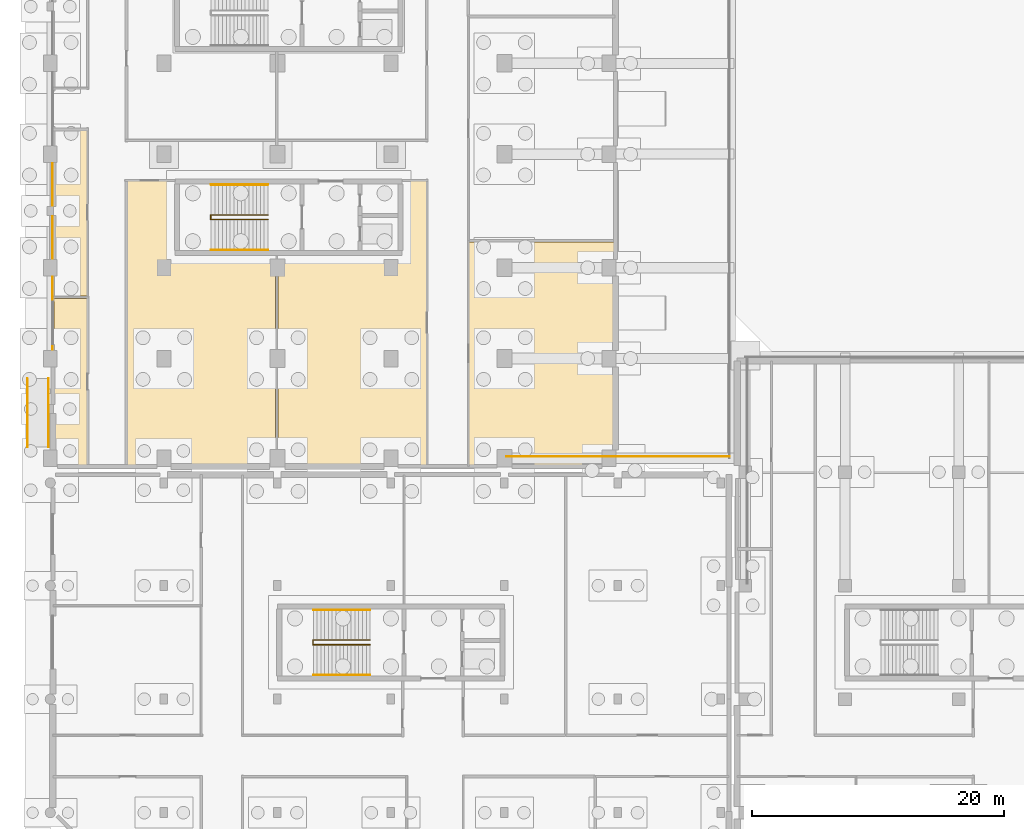
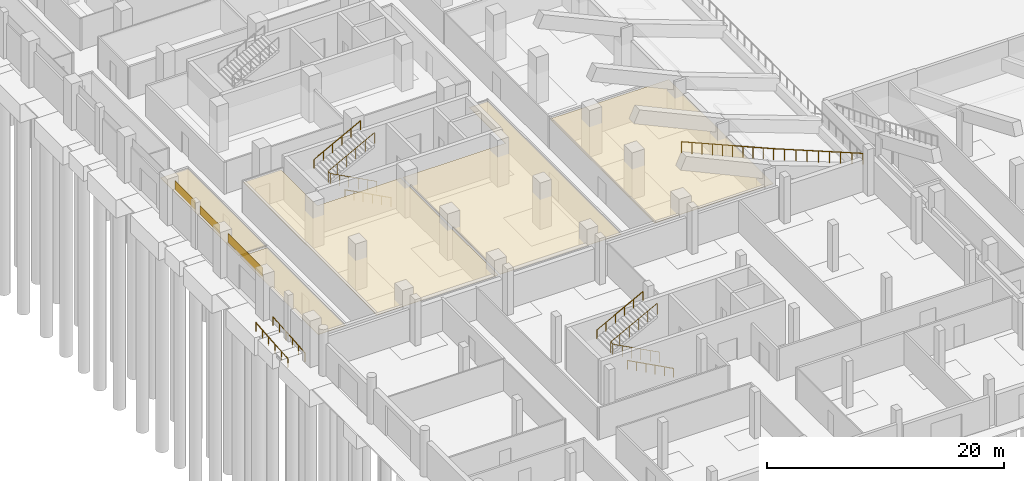
# One storey, part 42 of 53: 9 railings, 8 coverings.
"""IFC4 building model written with IfcOpenShell, lengths in metres."""

from ifc_helpers import new_model, si_unit, direction, frame, origin, origin_2d, place, context, subcontext, project, spatial, polyline, rectangle, circle, outline, extrude, material, layer, layer_set, type_object, element, save


model = new_model("IFC4")

# Units and contexts
model_context = context("Model", 3, precision=1e-05, world=origin(), true_north=direction((0.0, 1.0)))
body_context = subcontext(model_context, "Body", "Model", "MODEL_VIEW")
ifc_project = project(units=[si_unit("LENGTHUNIT", "METRE"), si_unit("AREAUNIT", "SQUARE_METRE"), si_unit("VOLUMEUNIT", "CUBIC_METRE"), si_unit("PLANEANGLEUNIT", "RADIAN"), si_unit("MASSUNIT", "GRAM", prefix="KILO"), si_unit("THERMODYNAMICTEMPERATUREUNIT", "KELVIN"), si_unit("POWERUNIT", "WATT")], contexts=[model_context])

# Site, building, storey
site_placement = place(None, origin())
site = spatial("IfcSite", under=ifc_project, at=site_placement, CompositionType="ELEMENT")
building_placement = place(site_placement, origin())
building = spatial("IfcBuilding", under=site, at=building_placement, Name="Sindhuravela Promenade Stadium", CompositionType="ELEMENT")
storey_placement = place(building_placement, origin())
storey = spatial("IfcBuildingStorey", under=building, at=storey_placement, Name="L00", CompositionType="ELEMENT", Elevation=0.0)

# Coverings
ifc_material_1 = material(Name="Acoustic mineral-fibre ceiling tile", Category="gypsum")
ifc_layer_1 = layer(ifc_material_1, 0.02490234375)
ifc_layer_set_1 = layer_set([ifc_layer_1], Name="Acoustic mineral-fibre ceiling tile")
covering_type_1 = type_object("IfcCoveringType", Name="CV-CEIL-1", PredefinedType="CEILING", material=ifc_layer_set_1)
covering_1_placement = place(storey_placement, frame((0.0, 0.0, 3.050048828125)))
element("IfcCovering", 1, at=covering_1_placement, inside=storey, type_object=covering_type_1, Name="Acoustic ceiling Field-Side Lower Tier Stands West", PredefinedType="CEILING", context=body_context, shape_type="SweptSolid", body=[
    extrude(outline(polyline([(6.02001953125, 59.110107421875), (6.02001953125, 59.112060546875), (6.0205078125, 59.114013671875), (6.02099609375, 59.11572265625), (6.021484375, 59.11767578125), (6.0224609375, 59.119384765625), (6.0234375, 59.12109375), (6.0244140625, 59.122802734375), (6.02587890625, 59.1240234375), (6.02734375, 59.12548828125), (6.02880859375, 59.126708984375), (6.030517578125, 59.127685546875), (6.0322265625, 59.12841796875), (6.0341796875, 59.129150390625), (6.0361328125, 59.129638671875), (6.0380859375, 59.1298828125), (6.0400390625, 59.1298828125), (9.699951171875, 59.1298828125), (9.701904296875, 59.1298828125), (9.703857421875, 59.129638671875), (9.705810546875, 59.129150390625), (9.707763671875, 59.12841796875), (9.70947265625, 59.127685546875), (9.711181640625, 59.126708984375), (9.712646484375, 59.12548828125), (9.714111328125, 59.1240234375), (9.715576171875, 59.122802734375), (9.716552734375, 59.12109375), (9.717529296875, 59.119384765625), (9.718505859375, 59.11767578125), (9.718994140625, 59.11572265625), (9.719482421875, 59.114013671875), (9.719970703125, 59.112060546875), (9.719970703125, 59.110107421875), (9.719970703125, 53.02001953125), (17.830078125, 53.02001953125), (17.83203125, 53.02001953125), (17.833984375, 53.01953125), (17.835693359375, 53.01904296875), (17.837646484375, 53.0185546875), (17.83935546875, 53.017578125), (17.841064453125, 53.0166015625), (17.8427734375, 53.015380859375), (17.843994140625, 53.01416015625), (17.845458984375, 53.0126953125), (17.8466796875, 53.010986328125), (17.84765625, 53.009521484375), (17.848388671875, 53.0078125), (17.84912109375, 53.005859375), (17.849609375, 53.00390625), (17.849853515625, 53.001953125), (17.85009765625, 53.0), (17.85009765625, 36.570068359375), (17.849853515625, 36.568115234375), (17.849609375, 36.566162109375), (17.84912109375, 36.564208984375), (17.848388671875, 36.562255859375), (17.84765625, 36.560546875), (17.8466796875, 36.558837890625), (17.845458984375, 36.557373046875), (17.843994140625, 36.555908203125), (17.8427734375, 36.554443359375), (17.841064453125, 36.553466796875), (17.83935546875, 36.552490234375), (17.837646484375, 36.551513671875), (17.835693359375, 36.55078125), (17.833984375, 36.55029296875), (17.83203125, 36.550048828125), (17.830078125, 36.550048828125), (6.0400390625, 36.550048828125), (6.0380859375, 36.550048828125), (6.0361328125, 36.55029296875), (6.0341796875, 36.55078125), (6.0322265625, 36.551513671875), (6.030517578125, 36.552490234375), (6.02880859375, 36.553466796875), (6.02734375, 36.554443359375), (6.02587890625, 36.555908203125), (6.0244140625, 36.557373046875), (6.0234375, 36.558837890625), (6.0224609375, 36.560546875), (6.021484375, 36.562255859375), (6.02099609375, 36.564208984375), (6.0205078125, 36.566162109375), (6.02001953125, 36.568115234375), (6.02001953125, 36.570068359375), (6.02001953125, 59.110107421875)])), origin(), (0.0, 0.0, 1.0), 0.02490234375),
])
covering_2_placement = place(storey_placement, frame((0.0, 0.0, 3.050048828125)))
element("IfcCovering", 2, at=covering_2_placement, inside=storey, type_object=covering_type_1, Name="Acoustic ceiling Away Team Changing Suite", PredefinedType="CEILING", context=body_context, shape_type="SweptSolid", body=[
    extrude(outline(polyline([(28.080078125, 53.02001953125), (28.080078125, 59.110107421875), (28.080078125, 59.112060546875), (28.080322265625, 59.114013671875), (28.080810546875, 59.11572265625), (28.08154296875, 59.11767578125), (28.08251953125, 59.119384765625), (28.08349609375, 59.12109375), (28.08447265625, 59.122802734375), (28.0859375, 59.1240234375), (28.08740234375, 59.12548828125), (28.0888671875, 59.126708984375), (28.090576171875, 59.127685546875), (28.09228515625, 59.12841796875), (28.09423828125, 59.129150390625), (28.09619140625, 59.129638671875), (28.097900390625, 59.1298828125), (28.10009765625, 59.1298828125), (29.860107421875, 59.1298828125), (29.862060546875, 59.1298828125), (29.864013671875, 59.129638671875), (29.86572265625, 59.129150390625), (29.86767578125, 59.12841796875), (29.869384765625, 59.127685546875), (29.87109375, 59.126708984375), (29.872802734375, 59.12548828125), (29.8740234375, 59.1240234375), (29.87548828125, 59.122802734375), (29.876708984375, 59.12109375), (29.877685546875, 59.119384765625), (29.87841796875, 59.11767578125), (29.879150390625, 59.11572265625), (29.879638671875, 59.114013671875), (29.8798828125, 59.112060546875), (29.8798828125, 59.110107421875), (29.8798828125, 36.570068359375), (29.8798828125, 36.568115234375), (29.879638671875, 36.566162109375), (29.879150390625, 36.564208984375), (29.87841796875, 36.562255859375), (29.877685546875, 36.560546875), (29.876708984375, 36.558837890625), (29.87548828125, 36.557373046875), (29.8740234375, 36.555908203125), (29.872802734375, 36.554443359375), (29.87109375, 36.553466796875), (29.869384765625, 36.552490234375), (29.86767578125, 36.551513671875), (29.86572265625, 36.55078125), (29.864013671875, 36.55029296875), (29.862060546875, 36.550048828125), (29.860107421875, 36.550048828125), (18.070068359375, 36.550048828125), (18.068115234375, 36.550048828125), (18.066162109375, 36.55029296875), (18.064208984375, 36.55078125), (18.062255859375, 36.551513671875), (18.060546875, 36.552490234375), (18.058837890625, 36.553466796875), (18.057373046875, 36.554443359375), (18.055908203125, 36.555908203125), (18.054443359375, 36.557373046875), (18.053466796875, 36.558837890625), (18.052490234375, 36.560546875), (18.051513671875, 36.562255859375), (18.05078125, 36.564208984375), (18.05029296875, 36.566162109375), (18.050048828125, 36.568115234375), (18.050048828125, 36.570068359375), (18.050048828125, 53.0), (18.050048828125, 53.001953125), (18.05029296875, 53.00390625), (18.05078125, 53.005859375), (18.051513671875, 53.0078125), (18.052490234375, 53.009521484375), (18.053466796875, 53.010986328125), (18.054443359375, 53.0126953125), (18.055908203125, 53.01416015625), (18.057373046875, 53.015380859375), (18.058837890625, 53.0166015625), (18.060546875, 53.017578125), (18.062255859375, 53.0185546875), (18.064208984375, 53.01904296875), (18.066162109375, 53.01953125), (18.068115234375, 53.02001953125), (18.070068359375, 53.02001953125), (28.080078125, 53.02001953125)])), origin(), (0.0, 0.0, 1.0), 0.02490234375),
])
covering_3_placement = place(storey_placement, frame((0.0, 0.0, 3.050048828125)))
element("IfcCovering", 3, at=covering_3_placement, inside=storey, type_object=covering_type_1, Name="Acoustic ceiling Team Shower and Sanitary Block 10", PredefinedType="CEILING", context=body_context, shape_type="SweptSolid", body=[
    extrude(outline(polyline([(2.97998046875, 36.570068359375), (2.97998046875, 36.568115234375), (2.9794921875, 36.566162109375), (2.97900390625, 36.564208984375), (2.978515625, 36.562255859375), (2.9775390625, 36.560546875), (2.9765625, 36.558837890625), (2.9755859375, 36.557373046875), (2.97412109375, 36.555908203125), (2.97265625, 36.554443359375), (2.97119140625, 36.553466796875), (2.969482421875, 36.552490234375), (2.9677734375, 36.551513671875), (2.9658203125, 36.55078125), (2.9638671875, 36.55029296875), (2.9619140625, 36.550048828125), (2.9599609375, 36.550048828125), (0.320068359375, 36.550048828125), (0.318115234375, 36.550048828125), (0.316162109375, 36.55029296875), (0.314208984375, 36.55078125), (0.312255859375, 36.551513671875), (0.310546875, 36.552490234375), (0.308837890625, 36.553466796875), (0.307373046875, 36.554443359375), (0.305908203125, 36.555908203125), (0.304443359375, 36.557373046875), (0.303466796875, 36.558837890625), (0.302490234375, 36.560546875), (0.301513671875, 36.562255859375), (0.30078125, 36.564208984375), (0.30029296875, 36.566162109375), (0.300048828125, 36.568115234375), (0.300048828125, 36.570068359375), (0.300048828125, 49.7451171875), (0.300048828125, 49.7470703125), (0.30029296875, 49.748779296875), (0.30078125, 49.750732421875), (0.301513671875, 49.752685546875), (0.302490234375, 49.75439453125), (0.303466796875, 49.756103515625), (0.304443359375, 49.7578125), (0.305908203125, 49.759033203125), (0.307373046875, 49.760498046875), (0.308837890625, 49.76171875), (0.310546875, 49.7626953125), (0.312255859375, 49.763427734375), (0.314208984375, 49.76416015625), (0.316162109375, 49.7646484375), (0.318115234375, 49.764892578125), (0.320068359375, 49.764892578125), (2.9599609375, 49.764892578125), (2.9619140625, 49.764892578125), (2.9638671875, 49.7646484375), (2.9658203125, 49.76416015625), (2.9677734375, 49.763427734375), (2.969482421875, 49.7626953125), (2.97119140625, 49.76171875), (2.97265625, 49.760498046875), (2.97412109375, 49.759033203125), (2.9755859375, 49.7578125), (2.9765625, 49.756103515625), (2.9775390625, 49.75439453125), (2.978515625, 49.752685546875), (2.97900390625, 49.750732421875), (2.9794921875, 49.748779296875), (2.97998046875, 49.7470703125), (2.97998046875, 49.7451171875), (2.97998046875, 36.570068359375)])), origin(), (0.0, 0.0, 1.0), 0.02490234375),
])
ifc_layer_2 = layer(ifc_material_1, 0.044921875)
ifc_layer_set_2 = layer_set([ifc_layer_2], Name="Acoustic mineral-fibre ceiling tile")
covering_type_2 = type_object("IfcCoveringType", Name="CV-CEIL-2", PredefinedType="CEILING", material=ifc_layer_set_2)
covering_4_placement = place(storey_placement, frame((0.0, 0.0, 3.050048828125)))
element("IfcCovering", 4, at=covering_4_placement, inside=storey, type_object=covering_type_2, Name="Acoustic ceiling Match Officials Suite", PredefinedType="CEILING", context=body_context, shape_type="SweptSolid", body=[
    extrude(outline(polyline([(44.699951171875, 36.570068359375), (44.699951171875, 36.568115234375), (44.69970703125, 36.566162109375), (44.69921875, 36.564208984375), (44.698486328125, 36.562255859375), (44.697509765625, 36.560546875), (44.696533203125, 36.558837890625), (44.695556640625, 36.557373046875), (44.694091796875, 36.555908203125), (44.692626953125, 36.554443359375), (44.691162109375, 36.553466796875), (44.689453125, 36.552490234375), (44.687744140625, 36.551513671875), (44.685791015625, 36.55078125), (44.683837890625, 36.55029296875), (44.681884765625, 36.550048828125), (44.679931640625, 36.550048828125), (33.139892578125, 36.550048828125), (33.137939453125, 36.550048828125), (33.135986328125, 36.55029296875), (33.13427734375, 36.55078125), (33.13232421875, 36.551513671875), (33.130615234375, 36.552490234375), (33.12890625, 36.553466796875), (33.127197265625, 36.554443359375), (33.1259765625, 36.555908203125), (33.12451171875, 36.557373046875), (33.123291015625, 36.558837890625), (33.122314453125, 36.560546875), (33.12158203125, 36.562255859375), (33.120849609375, 36.564208984375), (33.120361328125, 36.566162109375), (33.1201171875, 36.568115234375), (33.1201171875, 36.570068359375), (33.1201171875, 54.221923828125), (33.1201171875, 54.22412109375), (33.120361328125, 54.225830078125), (33.120849609375, 54.227783203125), (33.12158203125, 54.229736328125), (33.122314453125, 54.2314453125), (33.123291015625, 54.233154296875), (33.12451171875, 54.234619140625), (33.1259765625, 54.236083984375), (33.127197265625, 54.237548828125), (33.12890625, 54.238525390625), (33.130615234375, 54.239501953125), (33.13232421875, 54.240478515625), (33.13427734375, 54.2412109375), (33.135986328125, 54.24169921875), (33.137939453125, 54.241943359375), (33.139892578125, 54.241943359375), (44.679931640625, 54.241943359375), (44.681884765625, 54.241943359375), (44.683837890625, 54.24169921875), (44.685791015625, 54.2412109375), (44.687744140625, 54.240478515625), (44.689453125, 54.239501953125), (44.691162109375, 54.238525390625), (44.692626953125, 54.237548828125), (44.694091796875, 54.236083984375), (44.695556640625, 54.234619140625), (44.696533203125, 54.233154296875), (44.697509765625, 54.2314453125), (44.698486328125, 54.229736328125), (44.69921875, 54.227783203125), (44.69970703125, 54.225830078125), (44.699951171875, 54.22412109375), (44.699951171875, 54.221923828125), (44.699951171875, 36.570068359375)])), origin(), (0.0, 0.0, 1.0), 0.044921875),
])
covering_5_placement = place(storey_placement, frame((0.0, 0.0, 3.050048828125)))
element("IfcCovering", 5, at=covering_5_placement, inside=storey, type_object=covering_type_2, Name="Acoustic ceiling Accessible WC West L00 9", PredefinedType="CEILING", context=body_context, shape_type="SweptSolid", body=[
    extrude(outline(polyline([(2.9599609375, 63.179931640625), (2.9619140625, 63.179931640625), (2.9638671875, 63.1796875), (2.9658203125, 63.17919921875), (2.9677734375, 63.178466796875), (2.969482421875, 63.177490234375), (2.97119140625, 63.176513671875), (2.97265625, 63.175537109375), (2.97412109375, 63.174072265625), (2.9755859375, 63.172607421875), (2.9765625, 63.171142578125), (2.9775390625, 63.16943359375), (2.978515625, 63.167724609375), (2.97900390625, 63.165771484375), (2.9794921875, 63.163818359375), (2.97998046875, 63.162109375), (2.97998046875, 63.159912109375), (2.97998046875, 49.985107421875), (2.97998046875, 49.98291015625), (2.9794921875, 49.981201171875), (2.97900390625, 49.979248046875), (2.978515625, 49.977294921875), (2.9775390625, 49.9755859375), (2.9765625, 49.973876953125), (2.9755859375, 49.972412109375), (2.97412109375, 49.970947265625), (2.97265625, 49.969482421875), (2.97119140625, 49.968505859375), (2.969482421875, 49.96728515625), (2.9677734375, 49.966552734375), (2.9658203125, 49.9658203125), (2.9638671875, 49.96533203125), (2.9619140625, 49.965087890625), (2.9599609375, 49.965087890625), (0.320068359375, 49.965087890625), (0.318115234375, 49.965087890625), (0.316162109375, 49.96533203125), (0.314208984375, 49.9658203125), (0.312255859375, 49.966552734375), (0.310546875, 49.96728515625), (0.308837890625, 49.968505859375), (0.307373046875, 49.969482421875), (0.305908203125, 49.970947265625), (0.304443359375, 49.972412109375), (0.303466796875, 49.973876953125), (0.302490234375, 49.9755859375), (0.301513671875, 49.977294921875), (0.30078125, 49.979248046875), (0.30029296875, 49.981201171875), (0.300048828125, 49.98291015625), (0.300048828125, 49.985107421875), (0.300048828125, 63.159912109375), (0.300048828125, 63.162109375), (0.30029296875, 63.163818359375), (0.30078125, 63.165771484375), (0.301513671875, 63.167724609375), (0.302490234375, 63.16943359375), (0.303466796875, 63.171142578125), (0.304443359375, 63.172607421875), (0.305908203125, 63.174072265625), (0.307373046875, 63.175537109375), (0.308837890625, 63.176513671875), (0.310546875, 63.177490234375), (0.312255859375, 63.178466796875), (0.314208984375, 63.17919921875), (0.316162109375, 63.1796875), (0.318115234375, 63.179931640625), (0.320068359375, 63.179931640625), (2.9599609375, 63.179931640625)])), origin(), (0.0, 0.0, 1.0), 0.044921875),
])
ifc_material_2 = material(Name="Polychrome trencadis ceramic mosaic", Category="masonry")
ifc_layer_3 = layer(ifc_material_2, 0.034912109375)
ifc_layer_set_3 = layer_set([ifc_layer_3], Name="Polychrome trencadis ceramic mosaic")
covering_type_3 = type_object("IfcCoveringType", Name="CV-TRENC-1", PredefinedType="CLADDING", material=ifc_layer_set_3)
covering_6_placement = place(storey_placement, frame((0.179931640625, 54.60009765625, 3.55517578125), z_axis=(0.0, 0.0, 1.0), x_axis=(0.0, 1.0, 0.0)))
element("IfcCovering", 6, at=covering_6_placement, inside=storey, type_object=covering_type_3, Name="Trencadis ceramic mosaic spandrel frieze WEST L00-2", PredefinedType="CLADDING", context=body_context, shape_type="SweptSolid", body=[
    extrude(rectangle(XDim=3.3701171875, YDim=0.034912109375, at=origin_2d()), origin(), (0.0, 0.0, 1.0), 0.905029296875),
])
ifc_layer_4 = layer(ifc_material_2, 0.050048828125)
ifc_layer_set_4 = layer_set([ifc_layer_4], Name="Polychrome trencadis ceramic mosaic")
covering_type_4 = type_object("IfcCoveringType", Name="CV-TRENC-2", PredefinedType="CLADDING", material=ifc_layer_set_4)
covering_7_placement = place(storey_placement, frame((0.179931640625, 48.60009765625, 3.55517578125), z_axis=(0.0, 0.0, 1.0), x_axis=(0.0, 1.0, 0.0)))
element("IfcCovering", 7, at=covering_7_placement, inside=storey, type_object=covering_type_4, Name="Trencadis ceramic mosaic spandrel frieze WEST L00-1", PredefinedType="CLADDING", context=body_context, shape_type="SweptSolid", body=[
    extrude(rectangle(XDim=5.77001953125, YDim=0.050048828125, at=origin_2d()), origin(), (0.0, 0.0, 1.0), 0.905029296875),
])
covering_8_placement = place(storey_placement, frame((0.179931640625, 58.800048828125, 3.55517578125), z_axis=(0.0, 0.0, 1.0), x_axis=(0.0, 1.0, 0.0)))
element("IfcCovering", 8, at=covering_8_placement, inside=storey, type_object=covering_type_4, Name="Trencadis ceramic mosaic spandrel frieze WEST L00-3", PredefinedType="CLADDING", context=body_context, shape_type="SweptSolid", body=[
    extrude(rectangle(XDim=3.3701171875, YDim=0.050048828125, at=origin_2d()), origin(), (0.0, 0.0, 1.0), 0.905029296875),
])

# Railings
ifc_material_3 = material(Name="Architectural wrought steel E350", Category="steel")
railing_type_1 = type_object("IfcRailingType", Name="RL-GRD-1150", PredefinedType="GUARDRAIL", material=ifc_material_3)
railing_1_placement = place(storey_placement, frame((53.85009765625, 37.25, 1.449951171875)))
element("IfcRailing", 9, at=railing_1_placement, inside=storey, type_object=railing_type_1, Name="Stand bowl crowd barrier GR01-91", PredefinedType="GUARDRAIL", context=body_context, shape_type="SweptSolid", body=[
    extrude(circle(Radius=0.02392578125, at=origin_2d()), frame((0.0, 0.0, 1.1259765625), z_axis=(-0.9266377776708234, 0.0, 0.3759553550533327), x_axis=(0.0, -1.0, 0.0)), (0.0, 0.0, 1.0), 9.442626953125),
    extrude(circle(Radius=0.02392578125, at=origin_2d()), frame((-8.75, 0.0, 4.67578125), z_axis=(-0.9186127990796654, 0.0, 0.3951588609243405), x_axis=(0.0, -1.0, 0.0)), (0.0, 0.0, 1.0), 9.7431640625),
    extrude(circle(Radius=0.02099609375, at=origin_2d()), origin(), (0.0, 0.0, 1.0), 1.101806640625),
    extrude(circle(Radius=0.02099609375, at=origin_2d()), frame((-1.09375, 0.0, 0.44384765625)), (0.0, 0.0, 1.0), 1.101806640625),
    extrude(circle(Radius=0.02099609375, at=origin_2d()), frame((-2.1875, 0.0, 0.887451171875)), (0.0, 0.0, 1.0), 1.101806640625),
    extrude(circle(Radius=0.02099609375, at=origin_2d()), frame((-3.28125, 0.0, 1.331298828125)), (0.0, 0.0, 1.0), 1.101806640625),
    extrude(circle(Radius=0.02099609375, at=origin_2d()), frame((-4.375, 0.0, 1.77490234375)), (0.0, 0.0, 1.0), 1.101806640625),
    extrude(circle(Radius=0.02099609375, at=origin_2d()), frame((-5.46875, 0.0, 2.21875)), (0.0, 0.0, 1.0), 1.101806640625),
    extrude(circle(Radius=0.02099609375, at=origin_2d()), frame((-6.5625, 0.0, 2.66259765625)), (0.0, 0.0, 1.0), 1.101806640625),
    extrude(circle(Radius=0.02099609375, at=origin_2d()), frame((-7.65625, 0.0, 3.106201171875)), (0.0, 0.0, 1.0), 1.101806640625),
    extrude(circle(Radius=0.02099609375, at=origin_2d()), frame((-8.75, 0.0, 3.550048828125)), (0.0, 0.0, 1.0), 1.101806640625),
    extrude(circle(Radius=0.02099609375, at=origin_2d()), frame((-9.744384765625, 0.0, 3.977783203125)), (0.0, 0.0, 1.0), 1.101806640625),
    extrude(circle(Radius=0.02099609375, at=origin_2d()), frame((-10.739013671875, 0.0, 4.405517578125)), (0.0, 0.0, 1.0), 1.101806640625),
    extrude(circle(Radius=0.02099609375, at=origin_2d()), frame((-11.7333984375, 0.0, 4.83349609375)), (0.0, 0.0, 1.0), 1.101806640625),
    extrude(circle(Radius=0.02099609375, at=origin_2d()), frame((-12.727783203125, 0.0, 5.26123046875)), (0.0, 0.0, 1.0), 1.101806640625),
    extrude(circle(Radius=0.02099609375, at=origin_2d()), frame((-13.722412109375, 0.0, 5.68896484375)), (0.0, 0.0, 1.0), 1.101806640625),
    extrude(circle(Radius=0.02099609375, at=origin_2d()), frame((-14.716796875, 0.0, 6.11669921875)), (0.0, 0.0, 1.0), 1.101806640625),
    extrude(circle(Radius=0.02099609375, at=origin_2d()), frame((-15.711181640625, 0.0, 6.544677734375)), (0.0, 0.0, 1.0), 1.101806640625),
    extrude(circle(Radius=0.02099609375, at=origin_2d()), frame((-16.705810546875, 0.0, 6.972412109375)), (0.0, 0.0, 1.0), 1.101806640625),
    extrude(circle(Radius=0.02099609375, at=origin_2d()), frame((-17.7001953125, 0.0, 7.400146484375)), (0.0, 0.0, 1.0), 1.101806640625),
])
railing_2_placement = place(storey_placement, frame((17.25, 56.010009765625, 0.0)))
element("IfcRailing", 10, at=railing_2_placement, inside=storey, type_object=railing_type_1, Name="Stair ST01 inner well guard (L00)", PredefinedType="GUARDRAIL", context=body_context, shape_type="SweptSolid", body=[
    extrude(circle(Radius=0.02392578125, at=origin_2d()), frame((0.0, 0.0, 1.1259765625), z_axis=(-0.8836546633431795, 0.0, 0.46813933390802775), x_axis=(0.0, -1.0, 0.0)), (0.0, 0.0, 1.0), 5.12646484375),
    extrude(circle(Radius=0.02392578125, at=origin_2d()), frame((-4.530029296875, 0.0, 3.52587890625), z_axis=(0.0, 1.0, 0.0), x_axis=(-1.0, 0.0, 0.0)), (0.0, 0.0, 1.0), 0.3798828125),
    extrude(circle(Radius=0.02392578125, at=origin_2d()), frame((-4.530029296875, 0.3798828125, 3.52587890625), z_axis=(0.8836349624059475, 0.0, 0.46817651928929505), x_axis=(0.0, 1.0, 0.0)), (0.0, 0.0, 1.0), 5.12646484375),
    extrude(circle(Radius=0.02099609375, at=origin_2d()), origin(), (0.0, 0.0, 1.0), 1.101806640625),
    extrude(circle(Radius=0.02099609375, at=origin_2d()), frame((-0.906005859375, 0.0, 0.47998046875)), (0.0, 0.0, 1.0), 1.101806640625),
    extrude(circle(Radius=0.02099609375, at=origin_2d()), frame((-1.81201171875, 0.0, 0.9599609375)), (0.0, 0.0, 1.0), 1.101806640625),
    extrude(circle(Radius=0.02099609375, at=origin_2d()), frame((-2.718017578125, 0.0, 1.43994140625)), (0.0, 0.0, 1.0), 1.101806640625),
    extrude(circle(Radius=0.02099609375, at=origin_2d()), frame((-3.6240234375, 0.0, 1.919921875)), (0.0, 0.0, 1.0), 1.101806640625),
    extrude(circle(Radius=0.02099609375, at=origin_2d()), frame((-4.530029296875, 0.0, 2.39990234375)), (0.0, 0.0, 1.0), 1.101806640625),
    extrude(circle(Radius=0.02099609375, at=origin_2d()), frame((-4.530029296875, 0.3798828125, 2.39990234375)), (0.0, 0.0, 1.0), 1.101806640625),
    extrude(circle(Radius=0.02099609375, at=origin_2d()), frame((-3.6240234375, 0.3798828125, 2.8798828125)), (0.0, 0.0, 1.0), 1.101806640625),
    extrude(circle(Radius=0.02099609375, at=origin_2d()), frame((-2.718017578125, 0.3798828125, 3.35986328125)), (0.0, 0.0, 1.0), 1.101806640625),
    extrude(circle(Radius=0.02099609375, at=origin_2d()), frame((-1.81201171875, 0.3798828125, 3.840087890625)), (0.0, 0.0, 1.0), 1.101806640625),
    extrude(circle(Radius=0.02099609375, at=origin_2d()), frame((-0.906005859375, 0.3798828125, 4.320068359375)), (0.0, 0.0, 1.0), 1.101806640625),
    extrude(circle(Radius=0.02099609375, at=origin_2d()), frame((0.0, 0.3798828125, 4.800048828125)), (0.0, 0.0, 1.0), 1.101806640625),
])
railing_3_placement = place(storey_placement, frame((25.35009765625, 22.31005859375, 0.0)))
element("IfcRailing", 11, at=railing_3_placement, inside=storey, type_object=railing_type_1, Name="Stair GS01 inner well guard (L00)", PredefinedType="GUARDRAIL", context=body_context, shape_type="SweptSolid", body=[
    extrude(circle(Radius=0.02392578125, at=origin_2d()), frame((0.0, 0.0, 1.1259765625), z_axis=(-0.8836546633431795, 0.0, 0.46813933390802775), x_axis=(0.0, -1.0, 0.0)), (0.0, 0.0, 1.0), 5.12646484375),
    extrude(circle(Radius=0.02392578125, at=origin_2d()), frame((-4.530029296875, 0.0, 3.52587890625), z_axis=(0.0, 1.0, 0.0), x_axis=(-1.0, 0.0, 0.0)), (0.0, 0.0, 1.0), 0.3798828125),
    extrude(circle(Radius=0.02392578125, at=origin_2d()), frame((-4.530029296875, 0.3798828125, 3.52587890625), z_axis=(0.8836349624059475, 0.0, 0.46817651928929505), x_axis=(0.0, 1.0, 0.0)), (0.0, 0.0, 1.0), 5.12646484375),
    extrude(circle(Radius=0.02099609375, at=origin_2d()), origin(), (0.0, 0.0, 1.0), 1.101806640625),
    extrude(circle(Radius=0.02099609375, at=origin_2d()), frame((-0.906005859375, 0.0, 0.47998046875)), (0.0, 0.0, 1.0), 1.101806640625),
    extrude(circle(Radius=0.02099609375, at=origin_2d()), frame((-1.81201171875, 0.0, 0.9599609375)), (0.0, 0.0, 1.0), 1.101806640625),
    extrude(circle(Radius=0.02099609375, at=origin_2d()), frame((-2.718017578125, 0.0, 1.43994140625)), (0.0, 0.0, 1.0), 1.101806640625),
    extrude(circle(Radius=0.02099609375, at=origin_2d()), frame((-3.6240234375, 0.0, 1.919921875)), (0.0, 0.0, 1.0), 1.101806640625),
    extrude(circle(Radius=0.02099609375, at=origin_2d()), frame((-4.530029296875, 0.0, 2.39990234375)), (0.0, 0.0, 1.0), 1.101806640625),
    extrude(circle(Radius=0.02099609375, at=origin_2d()), frame((-4.530029296875, 0.3798828125, 2.39990234375)), (0.0, 0.0, 1.0), 1.101806640625),
    extrude(circle(Radius=0.02099609375, at=origin_2d()), frame((-3.6240234375, 0.3798828125, 2.8798828125)), (0.0, 0.0, 1.0), 1.101806640625),
    extrude(circle(Radius=0.02099609375, at=origin_2d()), frame((-2.718017578125, 0.3798828125, 3.35986328125)), (0.0, 0.0, 1.0), 1.101806640625),
    extrude(circle(Radius=0.02099609375, at=origin_2d()), frame((-1.81201171875, 0.3798828125, 3.840087890625)), (0.0, 0.0, 1.0), 1.101806640625),
    extrude(circle(Radius=0.02099609375, at=origin_2d()), frame((-0.906005859375, 0.3798828125, 4.320068359375)), (0.0, 0.0, 1.0), 1.101806640625),
    extrude(circle(Radius=0.02099609375, at=origin_2d()), frame((0.0, 0.3798828125, 4.800048828125)), (0.0, 0.0, 1.0), 1.101806640625),
])
railing_type_2 = type_object("IfcRailingType", Name="RL-HND-920", PredefinedType="HANDRAIL", material=ifc_material_3)
railing_4_placement = place(storey_placement, frame((17.25, 53.6201171875, 0.0)))
element("IfcRailing", 12, at=railing_4_placement, inside=storey, type_object=railing_type_2, Name="Stair ST01 lower wall handrail (L00)", PredefinedType="HANDRAIL", context=body_context, shape_type="SweptSolid", body=[
    extrude(circle(Radius=0.02392578125, at=origin_2d()), frame((0.0, 0.0, 0.89599609375), z_axis=(-0.8823608919668723, 0.0, 0.4705733272588083), x_axis=(0.0, -1.0, 0.0)), (0.0, 0.0, 1.0), 5.099853515625),
    extrude(circle(Radius=0.02099609375, at=origin_2d()), origin(), (0.0, 0.0, 1.0), 0.871826171875),
    extrude(circle(Radius=0.02099609375, at=origin_2d()), frame((-0.89990234375, 0.0, 0.47998046875)), (0.0, 0.0, 1.0), 0.871826171875),
    extrude(circle(Radius=0.02099609375, at=origin_2d()), frame((-1.800048828125, 0.0, 0.9599609375)), (0.0, 0.0, 1.0), 0.871826171875),
    extrude(circle(Radius=0.02099609375, at=origin_2d()), frame((-2.699951171875, 0.0, 1.43994140625)), (0.0, 0.0, 1.0), 0.871826171875),
    extrude(circle(Radius=0.02099609375, at=origin_2d()), frame((-3.60009765625, 0.0, 1.919921875)), (0.0, 0.0, 1.0), 0.871826171875),
    extrude(circle(Radius=0.02099609375, at=origin_2d()), frame((-4.5, 0.0, 2.39990234375)), (0.0, 0.0, 1.0), 0.871826171875),
])
railing_5_placement = place(storey_placement, frame((12.75, 58.780029296875, 2.39990234375)))
element("IfcRailing", 13, at=railing_5_placement, inside=storey, type_object=railing_type_2, Name="Stair ST01 upper wall handrail (L00)", PredefinedType="HANDRAIL", context=body_context, shape_type="SweptSolid", body=[
    extrude(circle(Radius=0.02392578125, at=origin_2d()), frame((0.0, 0.0, 0.89599609375), z_axis=(0.8823410147872734, 0.0, 0.47061059659145427), x_axis=(0.0, 1.0, 0.0)), (0.0, 0.0, 1.0), 5.10009765625),
    extrude(circle(Radius=0.02099609375, at=origin_2d()), origin(), (0.0, 0.0, 1.0), 0.871826171875),
    extrude(circle(Radius=0.02099609375, at=origin_2d()), frame((0.89990234375, 0.0, 0.47998046875)), (0.0, 0.0, 1.0), 0.871826171875),
    extrude(circle(Radius=0.02099609375, at=origin_2d()), frame((1.800048828125, 0.0, 0.9599609375)), (0.0, 0.0, 1.0), 0.871826171875),
    extrude(circle(Radius=0.02099609375, at=origin_2d()), frame((2.699951171875, 0.0, 1.440185546875)), (0.0, 0.0, 1.0), 0.871826171875),
    extrude(circle(Radius=0.02099609375, at=origin_2d()), frame((3.60009765625, 0.0, 1.920166015625)), (0.0, 0.0, 1.0), 0.871826171875),
    extrude(circle(Radius=0.02099609375, at=origin_2d()), frame((4.5, 0.0, 2.400146484375)), (0.0, 0.0, 1.0), 0.871826171875),
])
railing_6_placement = place(storey_placement, frame((25.35009765625, 19.919921875, 0.0)))
element("IfcRailing", 14, at=railing_6_placement, inside=storey, type_object=railing_type_2, Name="Stair GS01 lower wall handrail (L00)", PredefinedType="HANDRAIL", context=body_context, shape_type="SweptSolid", body=[
    extrude(circle(Radius=0.02392578125, at=origin_2d()), frame((0.0, 0.0, 0.89599609375), z_axis=(-0.8823608919668723, 0.0, 0.4705733272588083), x_axis=(0.0, -1.0, 0.0)), (0.0, 0.0, 1.0), 5.099853515625),
    extrude(circle(Radius=0.02099609375, at=origin_2d()), origin(), (0.0, 0.0, 1.0), 0.871826171875),
    extrude(circle(Radius=0.02099609375, at=origin_2d()), frame((-0.89990234375, 0.0, 0.47998046875)), (0.0, 0.0, 1.0), 0.871826171875),
    extrude(circle(Radius=0.02099609375, at=origin_2d()), frame((-1.800048828125, 0.0, 0.9599609375)), (0.0, 0.0, 1.0), 0.871826171875),
    extrude(circle(Radius=0.02099609375, at=origin_2d()), frame((-2.699951171875, 0.0, 1.43994140625)), (0.0, 0.0, 1.0), 0.871826171875),
    extrude(circle(Radius=0.02099609375, at=origin_2d()), frame((-3.60009765625, 0.0, 1.919921875)), (0.0, 0.0, 1.0), 0.871826171875),
    extrude(circle(Radius=0.02099609375, at=origin_2d()), frame((-4.5, 0.0, 2.39990234375)), (0.0, 0.0, 1.0), 0.871826171875),
])
railing_7_placement = place(storey_placement, frame((20.85009765625, 25.080078125, 2.39990234375)))
element("IfcRailing", 15, at=railing_7_placement, inside=storey, type_object=railing_type_2, Name="Stair GS01 upper wall handrail (L00)", PredefinedType="HANDRAIL", context=body_context, shape_type="SweptSolid", body=[
    extrude(circle(Radius=0.02392578125, at=origin_2d()), frame((0.0, 0.0, 0.89599609375), z_axis=(0.8823410147872734, 0.0, 0.47061059659145427), x_axis=(0.0, 1.0, 0.0)), (0.0, 0.0, 1.0), 5.10009765625),
    extrude(circle(Radius=0.02099609375, at=origin_2d()), origin(), (0.0, 0.0, 1.0), 0.871826171875),
    extrude(circle(Radius=0.02099609375, at=origin_2d()), frame((0.89990234375, 0.0, 0.47998046875)), (0.0, 0.0, 1.0), 0.871826171875),
    extrude(circle(Radius=0.02099609375, at=origin_2d()), frame((1.800048828125, 0.0, 0.9599609375)), (0.0, 0.0, 1.0), 0.871826171875),
    extrude(circle(Radius=0.02099609375, at=origin_2d()), frame((2.699951171875, 0.0, 1.440185546875)), (0.0, 0.0, 1.0), 0.871826171875),
    extrude(circle(Radius=0.02099609375, at=origin_2d()), frame((3.60009765625, 0.0, 1.920166015625)), (0.0, 0.0, 1.0), 0.871826171875),
    extrude(circle(Radius=0.02099609375, at=origin_2d()), frame((4.5, 0.0, 2.400146484375)), (0.0, 0.0, 1.0), 0.871826171875),
])
for number, where, name in (
    (16, (-0.139892578125, 38.0, -0.449951171875), "West main entrance step-free ramp handrail 1"),
    (17, (-1.820068359375, 38.0, -0.449951171875), "West main entrance step-free ramp handrail 2"),
):
    element("IfcRailing", number, at=place(storey_placement, frame(where)), inside=storey, type_object=railing_type_2, Name=name, PredefinedType="HANDRAIL", context=body_context, shape_type="SweptSolid", body=[
        extrude(circle(Radius=0.02392578125, at=origin_2d()), frame((0.0, 0.0, 0.89599609375), z_axis=(0.0, 0.9965463796776552, 0.08303802232326245), x_axis=(-1.0, 0.0, 0.0)), (0.0, 0.0, 1.0), 5.418701171875),
        extrude(circle(Radius=0.02099609375, at=origin_2d()), origin(), (0.0, 0.0, 1.0), 0.871826171875),
        extrude(circle(Radius=0.02099609375, at=origin_2d()), frame((0.0, 1.080078125, 0.090087890625)), (0.0, 0.0, 1.0), 0.871826171875),
        extrude(circle(Radius=0.02099609375, at=origin_2d()), frame((0.0, 2.159912109375, 0.179931640625)), (0.0, 0.0, 1.0), 0.871826171875),
        extrude(circle(Radius=0.02099609375, at=origin_2d()), frame((0.0, 3.239990234375, 0.27001953125)), (0.0, 0.0, 1.0), 0.871826171875),
        extrude(circle(Radius=0.02099609375, at=origin_2d()), frame((0.0, 4.31982421875, 0.35986328125)), (0.0, 0.0, 1.0), 0.871826171875),
        extrude(circle(Radius=0.02099609375, at=origin_2d()), frame((0.0, 5.39990234375, 0.449951171875)), (0.0, 0.0, 1.0), 0.871826171875),
    ])

save(model, "model.ifc")
